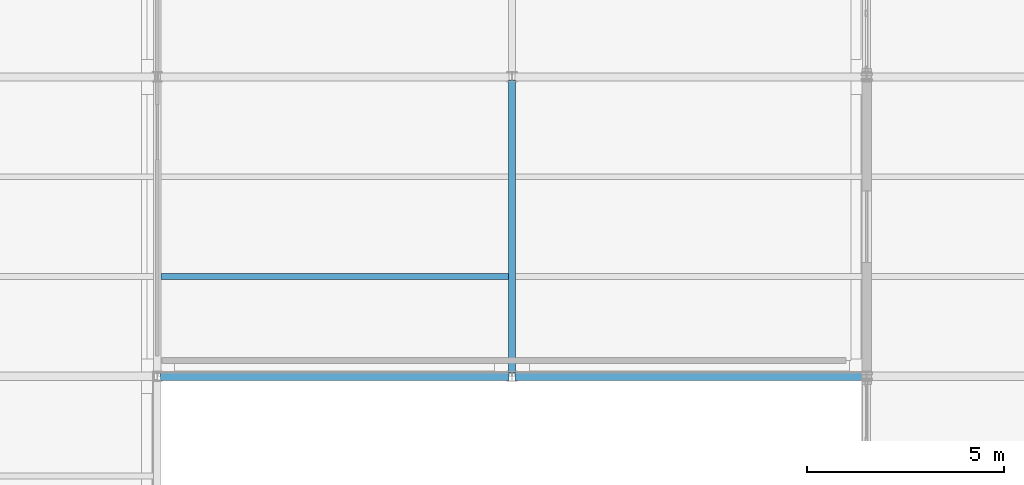
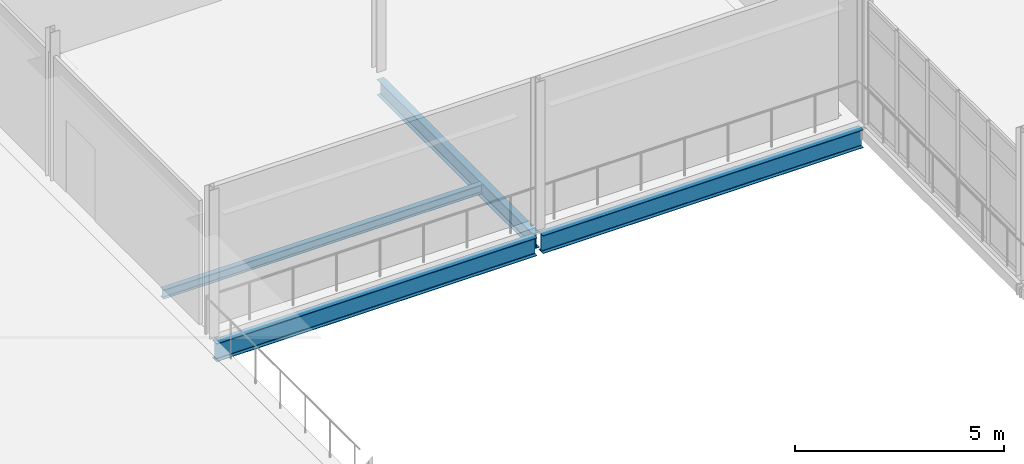
# One storey, part 23 of 48: 4 beams.
"""IFC4 building model written with IfcOpenShell, lengths in metres."""

from ifc_helpers import new_model, si_unit, direction, frame, origin, origin_2d, place, context, subcontext, project, spatial, i_section, extrude, material, material_profile, profile_set, type_object, element, save


model = new_model("IFC4")

# Units and contexts
model_context = context("Model", 3, precision=1e-05, world=origin(), true_north=direction((0.0, 1.0)))
body_context = subcontext(model_context, "Body", "Model", "MODEL_VIEW")
ifc_project = project(units=[si_unit("LENGTHUNIT", "METRE"), si_unit("AREAUNIT", "SQUARE_METRE"), si_unit("VOLUMEUNIT", "CUBIC_METRE"), si_unit("PLANEANGLEUNIT", "RADIAN"), si_unit("MASSUNIT", "GRAM", prefix="KILO")], contexts=[model_context])

# Site, building, storey
site_placement = place(None, origin())
site = spatial("IfcSite", under=ifc_project, at=site_placement, CompositionType="ELEMENT")
building_placement = place(site_placement, origin())
building = spatial("IfcBuilding", under=site, at=building_placement, Name="Caisbarro Railhouse Central Library", CompositionType="ELEMENT")
storey_placement = place(building_placement, frame((0.0, 0.0, 18.0)))
storey = spatial("IfcBuildingStorey", under=building, at=storey_placement, Name="L04", CompositionType="ELEMENT", Elevation=18.0)

# Beams
ifc_material = material(Name="Steel ASTM A572 Grade 50", Category="steel")
ifc_material_profile_1 = material_profile(ifc_material, i_section(OverallWidth=0.208984375, OverallDepth=0.532958984375, WebThickness=0.01025390625, FlangeThickness=0.015625, FilletRadius=0.02001953125, at=origin_2d()), Name="W530X92.0")
ifc_profile_set_1 = profile_set([ifc_material_profile_1], Name="Steel ASTM A572 Grade 50")
beam_type_1 = type_object("IfcBeamType", Name="BM-G06", PredefinedType="BEAM", material=ifc_profile_set_1)
for number, where, z_axis, x_axis, name in (
    (1, (126.080078125, 91.199951171875, -0.486572265625), (1.0, 0.0, 0.0), (0.0, 1.0, 0.0), "G06 beam L04 #2083"),
    (2, (135.080078125, 91.199951171875, -0.486572265625), (1.0, 0.0, 0.0), (0.0, 1.0, 0.0), "G06 beam L04 #2084"),
):
    element("IfcBeam", number, at=place(storey_placement, frame(where, z_axis=z_axis, x_axis=x_axis)), inside=storey, type_object=beam_type_1, Name=name, PredefinedType="BEAM", context=body_context, shape_type="SweptSolid", body=[
        extrude(i_section(OverallWidth=0.208984375, OverallDepth=0.532958984375, WebThickness=0.01025390625, FlangeThickness=0.015625, FilletRadius=0.02001953125, at=origin_2d()), origin(), (0.0, 0.0, 1.0), 8.83984375),
    ])
ifc_material_profile_2 = material_profile(ifc_material, i_section(OverallWidth=0.18994140625, OverallDepth=0.45703125, WebThickness=0.009033203125, FlangeThickness=0.014404296875, FilletRadius=0.01806640625, at=origin_2d()), Name="W460X74.0")
ifc_profile_set_2 = profile_set([ifc_material_profile_2], Name="Steel ASTM A572 Grade 50")
beam_type_2 = type_object("IfcBeamType", Name="BM-G08", PredefinedType="BEAM", material=ifc_profile_set_2)
beam_1_placement = place(storey_placement, frame((135.0, 91.280029296875, -0.448486328125), z_axis=(0.0, 1.0, 0.0), x_axis=(-1.0, 0.0, 0.0)))
element("IfcBeam", 3, at=beam_1_placement, inside=storey, type_object=beam_type_2, Name="G08 beam L04 #2107", PredefinedType="BEAM", context=body_context, shape_type="SweptSolid", body=[
    extrude(i_section(OverallWidth=0.18994140625, OverallDepth=0.45703125, WebThickness=0.009033203125, FlangeThickness=0.014404296875, FilletRadius=0.01806640625, at=origin_2d()), origin(), (0.0, 0.0, 1.0), 7.43994140625),
])
ifc_material_profile_3 = material_profile(ifc_material, i_section(OverallWidth=0.14794921875, OverallDepth=0.26611328125, WebThickness=0.007568359375, FlangeThickness=0.012939453125, FilletRadius=0.010009765625, at=origin_2d()), Name="W250X44.8")
ifc_profile_set_3 = profile_set([ifc_material_profile_3], Name="Steel ASTM A572 Grade 50")
beam_type_3 = type_object("IfcBeamType", Name="BM-J04", PredefinedType="JOIST", material=ifc_profile_set_3)
beam_2_placement = place(storey_placement, frame((126.094970703125, 93.7333984375, -0.35302734375), z_axis=(1.0, 0.0, 0.0), x_axis=(0.0, 1.0, 0.0)))
element("IfcBeam", 4, at=beam_2_placement, inside=storey, type_object=beam_type_3, Name="J04 beam L04 #2130", PredefinedType="JOIST", context=body_context, shape_type="SweptSolid", body=[
    extrude(i_section(OverallWidth=0.14794921875, OverallDepth=0.26611328125, WebThickness=0.007568359375, FlangeThickness=0.012939453125, FilletRadius=0.010009765625, at=origin_2d()), origin(), (0.0, 0.0, 1.0), 8.81005859375),
])

save(model, "model.ifc")
